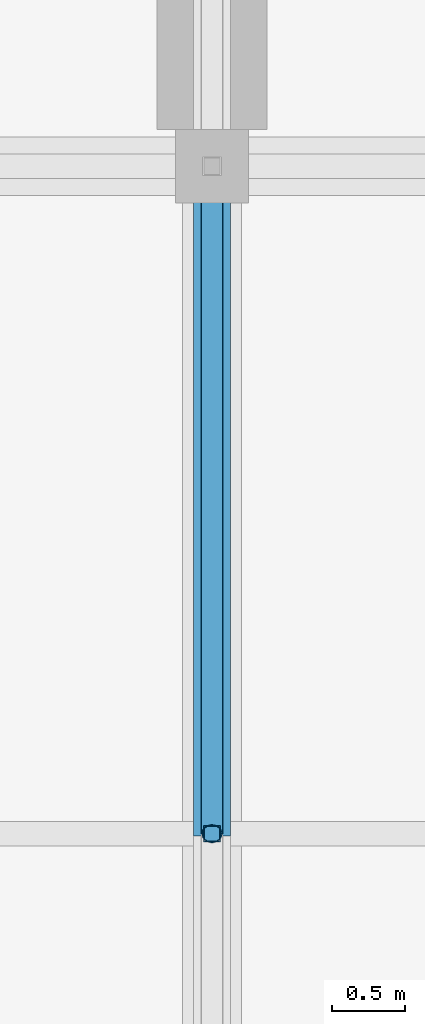
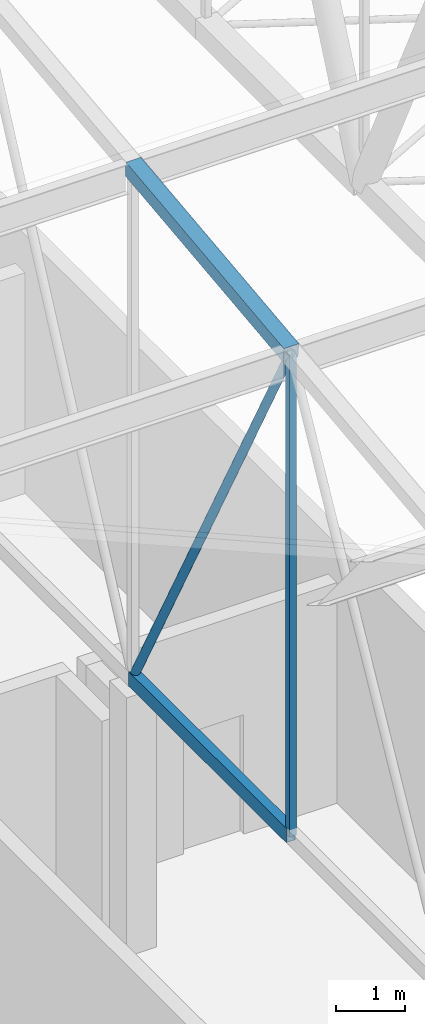
# One storey, part 31 of 500: 4 members.
"""IFC4 building model written with IfcOpenShell, lengths in metres."""

from ifc_helpers import new_model, si_unit, direction, frame, origin, origin_2d, place, context, subcontext, project, spatial, hollow_rectangle, hollow_circle, extrude, material, material_profile, profile_set, type_object, element, save


model = new_model("IFC4")

# Units and contexts
model_context = context("Model", 3, precision=1e-05, world=origin(), true_north=direction((0.0, 1.0)))
body_context = subcontext(model_context, "Body", "Model", "MODEL_VIEW")
ifc_project = project(units=[si_unit("LENGTHUNIT", "METRE"), si_unit("AREAUNIT", "SQUARE_METRE"), si_unit("VOLUMEUNIT", "CUBIC_METRE"), si_unit("PLANEANGLEUNIT", "RADIAN"), si_unit("MASSUNIT", "GRAM", prefix="KILO")], contexts=[model_context])

# Site, building, storey
site_placement = place(None, origin())
site = spatial("IfcSite", under=ifc_project, at=site_placement, CompositionType="ELEMENT")
building_placement = place(site_placement, origin())
building = spatial("IfcBuilding", under=site, at=building_placement, Name="Shirokan Park Arena", CompositionType="ELEMENT")
storey_placement = place(building_placement, frame((0.0, 0.0, 29.1201171875)))
storey = spatial("IfcBuildingStorey", under=building, at=storey_placement, Name="L06", CompositionType="ELEMENT", Elevation=29.1201171875)

# Members
ifc_material = material(Name="Steel ASTM A500 Grade C", Category="steel")
ifc_material_profile_1 = material_profile(ifc_material, hollow_rectangle(XDim=0.152099609375, YDim=0.25390625, WallThickness=0.009521484375, at=origin_2d()), Name="HSS254X152.4X9.5")
ifc_profile_set_1 = profile_set([ifc_material_profile_1], Name="Steel ASTM A500 Grade C")
member_type_1 = type_object("IfcMemberType", Name="Bottom chord HSS254X152.4X9.5", PredefinedType="CHORD", material=ifc_profile_set_1)
member_1_placement = place(storey_placement, frame((36.39990234375, 4.550048828125, 4.677001953125), z_axis=(0.0, 1.0, 0.0), x_axis=(-1.0, 0.0, 0.0)))
element("IfcMember", 1, at=member_1_placement, inside=storey, type_object=member_type_1, Name="Truss T05 bottom chord 4", PredefinedType="CHORD", context=body_context, shape_type="SweptSolid", body=[
    extrude(hollow_rectangle(XDim=0.152099609375, YDim=0.25390625, WallThickness=0.009521484375, at=origin_2d()), origin(), (0.0, 0.0, 1.0), 4.550048828125),
])
ifc_material_profile_2 = material_profile(ifc_material, hollow_rectangle(XDim=0.25390625, YDim=0.25390625, WallThickness=0.009521484375, at=origin_2d()), Name="HSS254X254X9.5")
ifc_profile_set_2 = profile_set([ifc_material_profile_2], Name="Steel ASTM A500 Grade C")
member_type_2 = type_object("IfcMemberType", Name="Top chord HSS254X254X9.5", PredefinedType="CHORD", material=ifc_profile_set_2)
member_2_placement = place(storey_placement, frame((36.39990234375, 4.550048828125, 13.142822265625), z_axis=(0.0, 0.993532328996, 0.113549598152), x_axis=(-1.0, 0.0, 0.0)))
element("IfcMember", 2, at=member_2_placement, inside=storey, type_object=member_type_2, Name="Truss T05 top chord 4", PredefinedType="CHORD", context=body_context, shape_type="SweptSolid", body=[
    extrude(hollow_rectangle(XDim=0.25390625, YDim=0.25390625, WallThickness=0.009521484375, at=origin_2d()), origin(), (0.0, 0.0, 1.0), 4.57958984375),
])
ifc_material_profile_3 = material_profile(ifc_material, hollow_circle(Radius=0.070556640625, WallThickness=0.006591796875, at=origin_2d()), Name="HSS141.3X6.6")
ifc_profile_set_3 = profile_set([ifc_material_profile_3], Name="Steel ASTM A500 Grade C")
member_type_3 = type_object("IfcMemberType", Name="Truss diagonal HSS141.3X6.6", PredefinedType="BRACE", material=ifc_profile_set_3)
member_3_placement = place(storey_placement, frame((36.39990234375, 4.550048828125, 13.142822265625), z_axis=(0.0, 0.473416507165, -0.880838697347), x_axis=(-1.0, 0.0, 0.0)))
element("IfcMember", 3, at=member_3_placement, inside=storey, type_object=member_type_3, Name="Truss T05 diagonal 4", PredefinedType="BRACE", context=body_context, shape_type="SweptSolid", body=[
    extrude(hollow_circle(Radius=0.070556640625, WallThickness=0.006591796875, at=origin_2d()), origin(), (0.0, 0.0, 1.0), 9.611083984375),
])
ifc_material_profile_4 = material_profile(ifc_material, hollow_rectangle(XDim=0.114013671875, YDim=0.114013671875, WallThickness=0.00634765625, at=origin_2d()), Name="HSS114.3X114.3X6.4")
ifc_profile_set_4 = profile_set([ifc_material_profile_4], Name="Steel ASTM A500 Grade C")
member_type_4 = type_object("IfcMemberType", Name="Truss post HSS114.3X114.3X6.4", PredefinedType="POST", material=ifc_profile_set_4)
member_4_placement = place(storey_placement, frame((36.39990234375, 4.550048828125, 4.677001953125), z_axis=(0.0, 0.0, 1.0), x_axis=(1.0, 0.0, 0.0)))
element("IfcMember", 4, at=member_4_placement, inside=storey, type_object=member_type_4, Name="Truss T05 post 4", PredefinedType="POST", context=body_context, shape_type="SweptSolid", body=[
    extrude(hollow_rectangle(XDim=0.114013671875, YDim=0.114013671875, WallThickness=0.00634765625, at=origin_2d()), origin(), (0.0, 0.0, 1.0), 8.4658203125),
])

save(model, "model.ifc")
